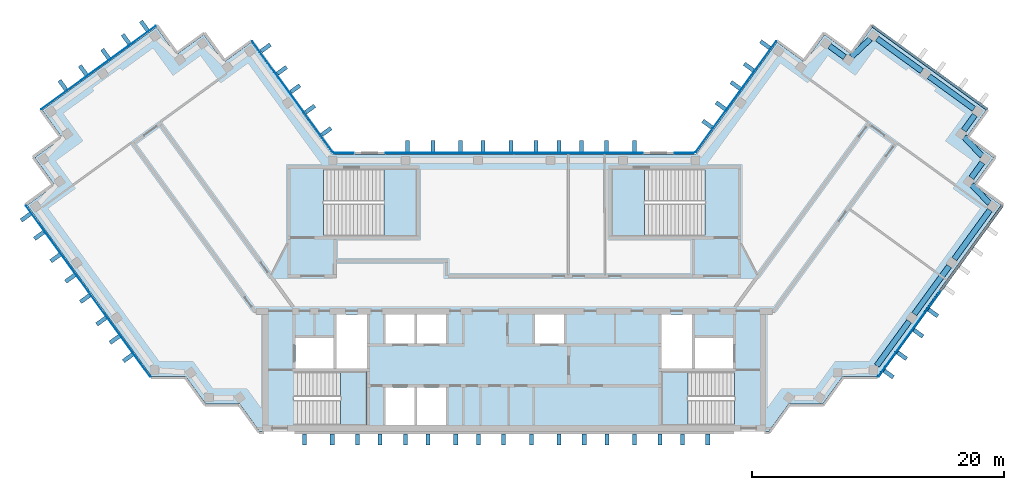
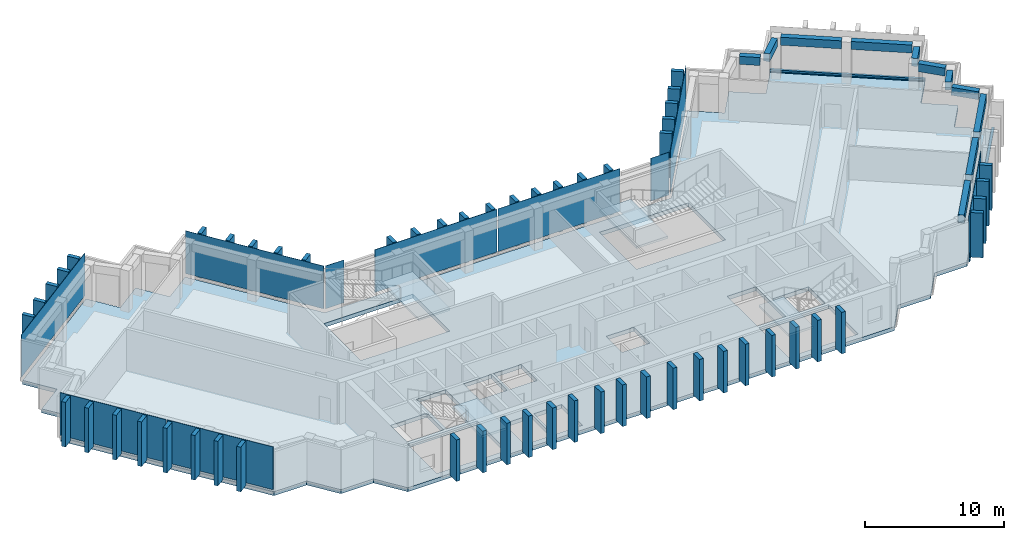
"""IFC4 building model written with IfcOpenShell, lengths in metres."""

from ifc_helpers import new_model, si_unit, direction, frame, origin, origin_2d, place, context, subcontext, project, spatial, polyline, rectangle, outline, extrude, material, layer, layer_set, material_profile, profile_set, type_object, element, aggregate, save


model = new_model("IFC4")

# Units and contexts
model_context = context("Model", 3, precision=1e-05, world=origin(), true_north=direction((0.0, 1.0)))
body_context = subcontext(model_context, "Body", "Model", "MODEL_VIEW")
ifc_project = project(units=[si_unit("LENGTHUNIT", "METRE"), si_unit("AREAUNIT", "SQUARE_METRE"), si_unit("VOLUMEUNIT", "CUBIC_METRE"), si_unit("PLANEANGLEUNIT", "RADIAN"), si_unit("MASSUNIT", "GRAM", prefix="KILO")], contexts=[model_context])

# Site, building, storey
site_placement = place(None, origin())
site = spatial("IfcSite", under=ifc_project, at=site_placement, CompositionType="ELEMENT")
building_placement = place(site_placement, origin())
building = spatial("IfcBuilding", under=site, at=building_placement, Name="Quipu Civic Tower", CompositionType="ELEMENT")
storey_1_placement = place(building_placement, frame((0.0, 0.0, 343.0)))
storey_1 = spatial("IfcBuildingStorey", under=building, at=storey_1_placement, Name="L80", CompositionType="ELEMENT", Elevation=343.0)

# Beams
ifc_material_1 = material(Name="Concrete C50/60", Category="concrete")
ifc_material_profile_1 = material_profile(ifc_material_1, rectangle(XDim=0.449951171875, YDim=0.699951171875, at=origin_2d()), Name="RC450x700")
ifc_profile_set_1 = profile_set([ifc_material_profile_1], Name="Concrete C50/60")
beam_type = type_object("IfcBeamType", Name="Spandrel beam RC 450x700 C50/60", PredefinedType="SPANDREL", material=ifc_profile_set_1)
beam_1_placement = place(storey_1_placement, frame((28.779296875, -5.780029296875, 3.300048828125), z_axis=(0.58777550284, 0.809024077677, 0.0), x_axis=(-0.809024077677, 0.58777550284, 0.0)))
element("IfcBeam", 1, at=beam_1_placement, inside=storey_1, type_object=beam_type, Name="Spandrel beam L80 J-Eo.4 to E-OUT-01", PredefinedType="SPANDREL", context=body_context, shape_type="SweptSolid", body=[
    extrude(rectangle(XDim=0.449951171875, YDim=0.699951171875, at=origin_2d()), origin(), (0.0, 0.0, 1.0), 4.36083984375),
])
beam_2_placement = place(storey_1_placement, frame((31.75390625, -1.685546875, 3.300048828125), z_axis=(0.587788656305, 0.809014521204, 0.0), x_axis=(-0.809014521204, 0.587788656305, 0.0)))
element("IfcBeam", 2, at=beam_2_placement, inside=storey_1, type_object=beam_type, Name="Spandrel beam L80 E-OUT-01 to E-OUT-02", PredefinedType="SPANDREL", context=body_context, shape_type="SweptSolid", body=[
    extrude(rectangle(XDim=0.449951171875, YDim=0.699951171875, at=origin_2d()), origin(), (0.0, 0.0, 1.0), 4.7001953125),
])
beam_3_placement = place(storey_1_placement, frame((34.927978515625, 2.68310546875, 3.300048828125), z_axis=(0.587905928359, 0.808929304328, 0.0), x_axis=(-0.808929304328, 0.587905928359, 0.0)))
element("IfcBeam", 3, at=beam_3_placement, inside=storey_1, type_object=beam_type, Name="Spandrel beam L80 E-OUT-02 to T-Eo.0-E22", PredefinedType="SPANDREL", context=body_context, shape_type="SweptSolid", body=[
    extrude(rectangle(XDim=0.449951171875, YDim=0.699951171875, at=origin_2d()), origin(), (0.0, 0.0, 1.0), 4.80712890625),
])
beam_4_placement = place(storey_1_placement, frame((37.71484375, 7.11279296875, 3.300048828125), z_axis=(-0.689175330605, 0.724594620244, 0.0), x_axis=(-0.724594620244, -0.689175330605, 0.0)))
element("IfcBeam", 4, at=beam_4_placement, inside=storey_1, type_object=beam_type, Name="Spandrel beam L80 T-Eo.0-E22 to T-Eo.1-E22", PredefinedType="SPANDREL", context=body_context, shape_type="SweptSolid", body=[
    extrude(rectangle(XDim=0.449951171875, YDim=0.699951171875, at=origin_2d()), origin(), (0.0, 0.0, 1.0), 2.033447265625),
])
beam_5_placement = place(storey_1_placement, frame((36.273681640625, 9.12744140625, 3.300048828125), z_axis=(0.587164895097, 0.809467347066, 0.0), x_axis=(-0.809467347066, 0.587164895097, 0.0)))
element("IfcBeam", 5, at=beam_5_placement, inside=storey_1, type_object=beam_type, Name="Spandrel beam L80 T-Eo.1-E22 to T-Eo.2-E22", PredefinedType="SPANDREL", context=body_context, shape_type="SweptSolid", body=[
    extrude(rectangle(XDim=0.449951171875, YDim=0.699951171875, at=origin_2d()), origin(), (0.0, 0.0, 1.0), 1.500244140625),
])
beam_6_placement = place(storey_1_placement, frame((37.114990234375, 10.88330078125, 3.300048828125), z_axis=(-0.688247466856, 0.725475998477, 0.0), x_axis=(-0.725475998477, -0.688247466856, 0.0)))
element("IfcBeam", 6, at=beam_6_placement, inside=storey_1, type_object=beam_type, Name="Spandrel beam L80 T-Eo.2-E22 to T-Eo.3-E22", PredefinedType="SPANDREL", context=body_context, shape_type="SweptSolid", body=[
    extrude(rectangle(XDim=0.449951171875, YDim=0.699951171875, at=origin_2d()), origin(), (0.0, 0.0, 1.0), 2.032958984375),
])
beam_7_placement = place(storey_1_placement, frame((35.6767578125, 12.8994140625, 3.300048828125), z_axis=(0.588345920092, 0.808609348394, 0.0), x_axis=(-0.808609348394, 0.588345920092, 0.0)))
element("IfcBeam", 7, at=beam_7_placement, inside=storey_1, type_object=beam_type, Name="Spandrel beam L80 T-Eo.3-E22 to T-Eo.4-E22", PredefinedType="SPANDREL", context=body_context, shape_type="SweptSolid", body=[
    extrude(rectangle(XDim=0.449951171875, YDim=0.699951171875, at=origin_2d()), origin(), (0.0, 0.0, 1.0), 1.499755859375),
])
beam_8_placement = place(storey_1_placement, frame((36.481689453125, 14.6005859375, 3.300048828125), z_axis=(-0.809117270763, 0.587647208921, 0.0), x_axis=(-0.587647208921, -0.809117270763, 0.0)))
element("IfcBeam", 8, at=beam_8_placement, inside=storey_1, type_object=beam_type, Name="Spandrel beam L80 T-Eo.4-E22 to TIP-E-01-E22", PredefinedType="SPANDREL", context=body_context, shape_type="SweptSolid", body=[
    extrude(rectangle(XDim=0.449951171875, YDim=0.699951171875, at=origin_2d()), origin(), (0.0, 0.0, 1.0), 4.40185546875),
])
beam_9_placement = place(storey_1_placement, frame((32.353759765625, 17.5986328125, 3.300048828125), z_axis=(-0.809146152767, 0.587607439931, 0.0), x_axis=(-0.587607439931, -0.809146152767, 0.0)))
element("IfcBeam", 9, at=beam_9_placement, inside=storey_1, type_object=beam_type, Name="Spandrel beam L80 TIP-E-01-E22 to T-Ei.0-E22", PredefinedType="SPANDREL", context=body_context, shape_type="SweptSolid", body=[
    extrude(rectangle(XDim=0.449951171875, YDim=0.699951171875, at=origin_2d()), origin(), (0.0, 0.0, 1.0), 4.400390625),
])
beam_10_placement = place(storey_1_placement, frame((28.251708984375, 20.14501953125, 3.300048828125), z_axis=(-0.725359138958, -0.688370626574, 0.0), x_axis=(0.688370626574, -0.725359138958, 0.0)))
element("IfcBeam", 10, at=beam_10_placement, inside=storey_1, type_object=beam_type, Name="Spandrel beam L80 T-Ei.0-E22 to T-Ei.1-E22", PredefinedType="SPANDREL", context=body_context, shape_type="SweptSolid", body=[
    extrude(rectangle(XDim=0.449951171875, YDim=0.699951171875, at=origin_2d()), origin(), (0.0, 0.0, 1.0), 2.032958984375),
])
beam_11_placement = place(storey_1_placement, frame((26.236083984375, 18.70654296875, 3.300048828125), z_axis=(-0.808644589435, 0.588297482553, 0.0), x_axis=(-0.588297482553, -0.808644589435, 0.0)))
element("IfcBeam", 11, at=beam_11_placement, inside=storey_1, type_object=beam_type, Name="Spandrel beam L80 T-Ei.1-E22 to T-Ei.2-E22", PredefinedType="SPANDREL", context=body_context, shape_type="SweptSolid", body=[
    extrude(rectangle(XDim=0.449951171875, YDim=0.699951171875, at=origin_2d()), origin(), (0.0, 0.0, 1.0), 1.500244140625),
])

# Storey
storey_2_placement = place(building_placement, frame((0.0, 0.0, 335.0)))
storey_2 = spatial("IfcBuildingStorey", under=building, at=storey_2_placement, Name="L78", CompositionType="ELEMENT", Elevation=335.0)

# Curtain wall, member
ifc_material_2 = material(Name="Insulated glass unit", Category="glass")
curtain_wall_type = type_object("IfcCurtainWallType", Name="Office curtain wall CW1", PredefinedType="NOTDEFINED", material=ifc_material_2)
curtain_wall_1_placement = place(storey_2_placement, origin())
curtain_wall_1 = element("IfcCurtainWall", 12, at=curtain_wall_1_placement, inside=storey_2, type_object=curtain_wall_type, Name="Office curtain wall CW1 L77 run 21", PredefinedType="NOTDEFINED")
ifc_material_3 = material(Name="Anodised aluminium", Category="aluminium")
ifc_material_profile_2 = material_profile(ifc_material_3, rectangle(XDim=0.199951171875, YDim=0.159912109375, at=origin_2d()), Name="RECT 200x160")
ifc_profile_set_2 = profile_set([ifc_material_profile_2], Name="Anodised aluminium")
member_type = type_object("IfcMemberType", Name="Transom CW1", PredefinedType="USERDEFINED", material=ifc_profile_set_2)
member_1_placement = place(storey_1_placement, frame((37.536865234375, 14.575927734375, 0.0), z_axis=(-0.809022463805, 0.587777724194, 0.0), x_axis=(-0.587777724194, -0.809022463805, 0.0)))
member_1 = element("IfcMember", 13, at=member_1_placement, inside=storey_1, type_object=member_type, Name="CW1 transom 1.4", ObjectType="TRANSOM", PredefinedType="USERDEFINED", context=body_context, shape_type="SweptSolid", body=[
    extrude(rectangle(XDim=0.199951171875, YDim=0.159912109375, at=origin_2d()), origin(), (0.0, 0.0, 1.0), 11.240234375),
])
aggregate(curtain_wall_1, [member_1])

# Storey
storey_3_placement = place(building_placement, frame((0.0, 0.0, 339.0)))
storey_3 = spatial("IfcBuildingStorey", under=building, at=storey_3_placement, Name="L79", CompositionType="ELEMENT", Elevation=339.0)

# Curtain wall, members
curtain_wall_2_placement = place(storey_3_placement, origin())
curtain_wall_2 = element("IfcCurtainWall", 14, at=curtain_wall_2_placement, inside=storey_3, type_object=curtain_wall_type, Name="Office curtain wall CW1 L78 run 4", PredefinedType="NOTDEFINED")
member_2_placement = place(storey_1_placement, frame((28.876708984375, -6.66650390625, 0.080078125), z_axis=(0.587812107925, 0.808997481935, 0.0), x_axis=(-0.808997481935, 0.587812107925, 0.0)))
member_2 = element("IfcMember", 15, at=member_2_placement, inside=storey_1, type_object=member_type, Name="CW1 transom 1.3", ObjectType="TRANSOM", PredefinedType="USERDEFINED", context=body_context, shape_type="SweptSolid", body=[
    extrude(rectangle(XDim=0.199951171875, YDim=0.159912109375, at=origin_2d()), origin(), (0.0, 0.0, 1.0), 8.35791015625),
])
member_3_placement = place(storey_1_placement, frame((33.83642578125, 0.15966796875, 0.080078125), z_axis=(0.587779098815, 0.809021465102, 0.0), x_axis=(-0.809021465102, 0.587779098815, 0.0)))
member_3 = element("IfcMember", 16, at=member_3_placement, inside=storey_1, type_object=member_type, Name="CW1 transom 2.3", ObjectType="TRANSOM", PredefinedType="USERDEFINED", context=body_context, shape_type="SweptSolid", body=[
    extrude(rectangle(XDim=0.199951171875, YDim=0.159912109375, at=origin_2d()), origin(), (0.0, 0.0, 1.0), 8.35791015625),
])

# Storey
storey_4_placement = place(building_placement, frame((0.0, 0.0, 347.0)))
storey_4 = spatial("IfcBuildingStorey", under=building, at=storey_4_placement, Name="L81", CompositionType="ELEMENT", Elevation=347.0)

# Curtain wall, member
curtain_wall_3_placement = place(storey_4_placement, origin())
curtain_wall_3 = element("IfcCurtainWall", 17, at=curtain_wall_3_placement, inside=storey_4, type_object=curtain_wall_type, Name="Office curtain wall CW1 L80 run 21", PredefinedType="NOTDEFINED")
member_4_placement = place(storey_1_placement, frame((37.536865234375, 14.575927734375, 0.159912109375), z_axis=(-0.809022463805, 0.587777724194, 0.0), x_axis=(-0.587777724194, -0.809022463805, 0.0)))
member_4 = element("IfcMember", 18, at=member_4_placement, inside=storey_1, type_object=member_type, Name="CW1 transom 1.1", ObjectType="TRANSOM", PredefinedType="USERDEFINED", context=body_context, shape_type="SweptSolid", body=[
    extrude(rectangle(XDim=0.199951171875, YDim=0.159912109375, at=origin_2d()), origin(), (0.0, 0.0, 1.0), 11.240234375),
])
aggregate(curtain_wall_3, [member_4])

# Slab
ifc_material_4 = material(Name="Concrete C40/50", Category="concrete")
ifc_layer_1 = layer(ifc_material_4, 0.35009765625)
ifc_layer_set_1 = layer_set([ifc_layer_1], Name="Concrete C40/50")
slab_type_1 = type_object("IfcSlabType", Name="Floor slab 350 C40/50", PredefinedType="FLOOR", material=ifc_layer_set_1)
slab_1_placement = place(storey_1_placement, frame((0.0, 0.0, -0.35009765625)))
element("IfcSlab", 19, at=slab_1_placement, inside=storey_1, type_object=slab_type_1, Name="Floor slab L80", PredefinedType="FLOOR", context=body_context, shape_type="SweptSolid", body=[
    extrude(outline(polyline([(20.860107421875, 19.89501953125), (23.0400390625, 18.31005859375), (24.6298828125, 20.4951171875), (26.81494140625, 18.905029296875), (28.39990234375, 21.090087890625), (37.4599609375, 14.5048828125), (35.875, 12.320068359375), (38.06005859375, 10.735107421875), (36.469970703125, 8.550048828125), (38.655029296875, 6.965087890625), (28.780029296875, -6.6298828125), (26.080078125, -6.6298828125), (24.489990234375, -8.81494140625), (21.7900390625, -8.81494140625), (20.205078125, -11.0), (-20.205078125, -11.0), (-21.7900390625, -8.81494140625), (-24.489990234375, -8.81494140625), (-26.080078125, -6.6298828125), (-28.780029296875, -6.6298828125), (-38.655029296875, 6.965087890625), (-36.469970703125, 8.550048828125), (-38.06005859375, 10.735107421875), (-35.875, 12.320068359375), (-37.4599609375, 14.5048828125), (-28.39990234375, 21.090087890625), (-26.81494140625, 18.905029296875), (-24.6298828125, 20.4951171875), (-23.0400390625, 18.31005859375), (-20.860107421875, 19.89501953125), (-14.39501953125, 11.0), (14.39501953125, 11.0), (20.860107421875, 19.89501953125)]), holes=[polyline([(-10.199951171875, -10.5), (-7.89990234375, -10.5), (-7.89990234375, -7.5), (-10.199951171875, -7.5), (-10.199951171875, -10.5)]), polyline([(-7.699951171875, -7.5), (-7.699951171875, -10.5), (-5.39990234375, -10.5), (-5.39990234375, -7.5), (-7.699951171875, -7.5)]), polyline([(-11.705078125, -6.2548828125), (-17.4951171875, -6.2548828125), (-17.4951171875, -10.4951171875), (-11.705078125, -10.4951171875), (-11.705078125, -6.2548828125)]), polyline([(-17.35009765625, -6.0), (-14.35009765625, -6.0), (-14.35009765625, -3.60009765625), (-17.35009765625, -3.60009765625), (-17.35009765625, -6.0)]), polyline([(-14.10009765625, -1.699951171875), (-14.10009765625, -6.0), (-11.699951171875, -6.0), (-11.699951171875, -1.699951171875), (-14.10009765625, -1.699951171875)]), polyline([(-10.199951171875, -1.699951171875), (-10.199951171875, -4.0), (-7.89990234375, -4.0), (-7.89990234375, -1.699951171875), (-10.199951171875, -1.699951171875)]), polyline([(-15.14501953125, 9.844970703125), (-15.14501953125, 4.5048828125), (-7.7548828125, 4.5048828125), (-7.7548828125, 9.844970703125), (-15.14501953125, 9.844970703125)]), polyline([(11.705078125, -10.4951171875), (17.4951171875, -10.4951171875), (17.4951171875, -6.2548828125), (11.705078125, -6.2548828125), (11.705078125, -10.4951171875)]), polyline([(14.35009765625, -3.60009765625), (14.35009765625, -6.0), (17.35009765625, -6.0), (17.35009765625, -3.60009765625), (14.35009765625, -3.60009765625)]), polyline([(11.699951171875, -1.699951171875), (11.699951171875, -6.0), (14.10009765625, -6.0), (14.10009765625, -1.699951171875), (11.699951171875, -1.699951171875)]), polyline([(-7.699951171875, -1.699951171875), (-7.699951171875, -4.0), (-5.39990234375, -4.0), (-5.39990234375, -1.699951171875), (-7.699951171875, -1.699951171875)]), polyline([(1.64990234375, -1.699951171875), (1.64990234375, -4.0), (3.949951171875, -4.0), (3.949951171875, -1.699951171875), (1.64990234375, -1.699951171875)]), polyline([(7.7548828125, 4.5048828125), (15.14501953125, 4.5048828125), (15.14501953125, 9.844970703125), (7.7548828125, 9.844970703125), (7.7548828125, 4.5048828125)])]), origin(), (0.0, 0.0, 1.0), 0.35009765625),
])

# Plate
ifc_material_5 = material(Name="Insulated glass unit", Category="glass")
ifc_layer_2 = layer(ifc_material_5, 0.028076171875)
ifc_layer_set_2 = layer_set([ifc_layer_2], Name="Insulated glass unit")
plate_type_1 = type_object("IfcPlateType", Name="Glass panel CW1", PredefinedType="CURTAIN_PANEL", material=ifc_layer_set_2)
plate_1_placement = place(storey_1_placement, frame((31.333251953125, -3.285888671875, 0.16015625), z_axis=(0.0, 0.0, 1.0), x_axis=(0.587786237643, 0.809016278475, 0.0)))
plate_1 = element("IfcPlate", 20, at=plate_1_placement, inside=storey_1, type_object=plate_type_1, Name="CW1 panel 1.3", PredefinedType="CURTAIN_PANEL", context=body_context, shape_type="SweptSolid", body=[
    extrude(rectangle(XDim=8.35791015625, YDim=0.028076171875, at=origin_2d()), origin(), (0.0, 0.0, 1.0), 3.760009765625),
])

aggregate(curtain_wall_2, [member_2, plate_1, member_3])

# Curtain wall, plate
curtain_wall_4_placement = place(storey_4_placement, origin())
curtain_wall_4 = element("IfcCurtainWall", 21, at=curtain_wall_4_placement, inside=storey_4, type_object=curtain_wall_type, Name="Office curtain wall CW1 L80 run 1", PredefinedType="NOTDEFINED")
plate_2_placement = place(storey_1_placement, frame((-17.590087890625, 15.5673828125, 0.240234375), z_axis=(0.0, 0.0, 1.0), x_axis=(-0.587787771652, 0.809015163947, 0.0)))
plate_2 = element("IfcPlate", 22, at=plate_2_placement, inside=storey_1, type_object=plate_type_1, Name="CW1 panel 1.1", PredefinedType="CURTAIN_PANEL", context=body_context, shape_type="SweptSolid", body=[
    extrude(rectangle(XDim=10.88427734375, YDim=0.028076171875, at=origin_2d()), origin(), (0.0, 0.0, 1.0), 3.760009765625),
])
aggregate(curtain_wall_4, [plate_2])

curtain_wall_5_placement = place(storey_4_placement, origin())
curtain_wall_5 = element("IfcCurtainWall", 23, at=curtain_wall_5_placement, inside=storey_4, type_object=curtain_wall_type, Name="Office curtain wall CW1 L80 run 6", PredefinedType="NOTDEFINED")
plate_3_placement = place(storey_1_placement, frame((-32.989990234375, 17.87939453125, 0.240234375), z_axis=(0.0, 0.0, 1.0), x_axis=(-0.809015176832, -0.587787753918, 0.0)))
plate_3 = element("IfcPlate", 24, at=plate_3_placement, inside=storey_1, type_object=plate_type_1, Name="CW1 panel 1.1", PredefinedType="CURTAIN_PANEL", context=body_context, shape_type="SweptSolid", body=[
    extrude(rectangle(XDim=11.239990234375, YDim=0.028076171875, at=origin_2d()), origin(), (0.0, 0.0, 1.0), 3.760009765625),
])
aggregate(curtain_wall_5, [plate_3])

# Curtain wall, plates
curtain_wall_6_placement = place(storey_4_placement, origin())
curtain_wall_6 = element("IfcCurtainWall", 25, at=curtain_wall_6_placement, inside=storey_4, type_object=curtain_wall_type, Name="Office curtain wall CW1 L80 run 11", PredefinedType="NOTDEFINED")
plate_4_placement = place(storey_1_placement, frame((-36.292724609375, 3.54052734375, 0.240234375), z_axis=(0.0, 0.0, 1.0), x_axis=(0.587786237643, -0.809016278475, 0.0)))
plate_4 = element("IfcPlate", 26, at=plate_4_placement, inside=storey_1, type_object=plate_type_1, Name="CW1 panel 1.1", PredefinedType="CURTAIN_PANEL", context=body_context, shape_type="SweptSolid", body=[
    extrude(rectangle(XDim=8.35791015625, YDim=0.028076171875, at=origin_2d()), origin(), (0.0, 0.0, 1.0), 3.760009765625),
])
plate_5_placement = place(storey_1_placement, frame((-31.333251953125, -3.285888671875, 0.240234375), z_axis=(0.0, 0.0, 1.0), x_axis=(0.587786237643, -0.809016278475, 0.0)))
plate_5 = element("IfcPlate", 27, at=plate_5_placement, inside=storey_1, type_object=plate_type_1, Name="CW1 panel 2.1", PredefinedType="CURTAIN_PANEL", context=body_context, shape_type="SweptSolid", body=[
    extrude(rectangle(XDim=8.35791015625, YDim=0.028076171875, at=origin_2d()), origin(), (0.0, 0.0, 1.0), 3.760009765625),
])
aggregate(curtain_wall_6, [plate_4, plate_5])

# Curtain wall, plate
curtain_wall_7_placement = place(storey_4_placement, origin())
curtain_wall_7 = element("IfcCurtainWall", 28, at=curtain_wall_7_placement, inside=storey_4, type_object=curtain_wall_type, Name="Office curtain wall CW1 L80 run 26", PredefinedType="NOTDEFINED")
plate_6_placement = place(storey_1_placement, frame((17.590087890625, 15.5673828125, 0.240234375), z_axis=(0.0, 0.0, 1.0), x_axis=(-0.587787771652, -0.809015163947, 0.0)))
plate_6 = element("IfcPlate", 29, at=plate_6_placement, inside=storey_1, type_object=plate_type_1, Name="CW1 panel 1.1", PredefinedType="CURTAIN_PANEL", context=body_context, shape_type="SweptSolid", body=[
    extrude(rectangle(XDim=10.88427734375, YDim=0.028076171875, at=origin_2d()), origin(), (0.0, 0.0, 1.0), 3.760009765625),
])
aggregate(curtain_wall_7, [plate_6])

curtain_wall_8_placement = place(storey_4_placement, origin())
curtain_wall_8 = element("IfcCurtainWall", 30, at=curtain_wall_8_placement, inside=storey_4, type_object=curtain_wall_type, Name="Office curtain wall CW1 L80 run 27", PredefinedType="NOTDEFINED")
plate_7_placement = place(storey_1_placement, frame((13.49951171875, 11.10009765625, 0.240234375), z_axis=(0.0, 0.0, 1.0), x_axis=(-1.0, 0.0, 0.0)))
plate_7 = element("IfcPlate", 31, at=plate_7_placement, inside=storey_1, type_object=plate_type_1, Name="CW1 panel 1.1", PredefinedType="CURTAIN_PANEL", context=body_context, shape_type="SweptSolid", body=[
    extrude(rectangle(XDim=1.529296875, YDim=0.028076171875, at=origin_2d()), origin(), (0.0, 0.0, 1.0), 3.760009765625),
])
aggregate(curtain_wall_8, [plate_7])

# Curtain wall, plates
curtain_wall_9_placement = place(storey_4_placement, origin())
curtain_wall_9 = element("IfcCurtainWall", 32, at=curtain_wall_9_placement, inside=storey_4, type_object=curtain_wall_type, Name="Office curtain wall CW1 L80 run 29", PredefinedType="NOTDEFINED")
plate_8_placement = place(storey_1_placement, frame((5.11181640625, 11.10009765625, 0.240234375), z_axis=(0.0, 0.0, 1.0), x_axis=(-1.0, 0.0, 0.0)))
plate_8 = element("IfcPlate", 33, at=plate_8_placement, inside=storey_1, type_object=plate_type_1, Name="CW1 panel 1.1", PredefinedType="CURTAIN_PANEL", context=body_context, shape_type="SweptSolid", body=[
    extrude(rectangle(XDim=10.1435546875, YDim=0.028076171875, at=origin_2d()), origin(), (0.0, 0.0, 1.0), 3.760009765625),
])
plate_9_placement = place(storey_1_placement, frame((-5.11181640625, 11.10009765625, 0.240234375), z_axis=(0.0, 0.0, 1.0), x_axis=(-1.0, 0.0, 0.0)))
plate_9 = element("IfcPlate", 34, at=plate_9_placement, inside=storey_1, type_object=plate_type_1, Name="CW1 panel 2.1", PredefinedType="CURTAIN_PANEL", context=body_context, shape_type="SweptSolid", body=[
    extrude(rectangle(XDim=10.1435546875, YDim=0.028076171875, at=origin_2d()), origin(), (0.0, 0.0, 1.0), 3.760009765625),
])
aggregate(curtain_wall_9, [plate_8, plate_9])

# Curtain wall, plate
curtain_wall_10_placement = place(storey_4_placement, origin())
curtain_wall_10 = element("IfcCurtainWall", 35, at=curtain_wall_10_placement, inside=storey_4, type_object=curtain_wall_type, Name="Office curtain wall CW1 L80 run 31", PredefinedType="NOTDEFINED")
plate_10_placement = place(storey_1_placement, frame((-13.49951171875, 11.10009765625, 0.240234375), z_axis=(0.0, 0.0, 1.0), x_axis=(-1.0, 0.0, 0.0)))
plate_10 = element("IfcPlate", 36, at=plate_10_placement, inside=storey_1, type_object=plate_type_1, Name="CW1 panel 1.1", PredefinedType="CURTAIN_PANEL", context=body_context, shape_type="SweptSolid", body=[
    extrude(rectangle(XDim=1.529296875, YDim=0.028076171875, at=origin_2d()), origin(), (0.0, 0.0, 1.0), 3.760009765625),
])
aggregate(curtain_wall_10, [plate_10])

# Plates
ifc_material_6 = material(Name="Precast concrete C40/50", Category="concrete")
plate_type_2 = type_object("IfcPlateType", Name="Precast fin F3", PredefinedType="SHEET", material=ifc_material_6)
for number, where, z_axis, x_axis, name in (
    (37, (29.721923828125, -6.43896484375, 0.080078125), (0.0, 0.0, 1.0), (0.587786668783, 0.809015965233, 0.0), "Precast fin F3 L80.P04.1"),
    (38, (30.780029296875, -4.982666015625, 0.080078125), (0.0, 0.0, 1.0), (0.587786668783, 0.809015965233, 0.0), "Precast fin F3 L80.P04.2"),
    (39, (32.0732421875, -3.202880859375, 0.080078125), (0.0, 0.0, 1.0), (0.587786668783, 0.809015965233, 0.0), "Precast fin F3 L80.P04.3"),
    (40, (33.248779296875, -1.5849609375, 0.080078125), (0.0, 0.0, 1.0), (0.587786668783, 0.809015965233, 0.0), "Precast fin F3 L80.P04.4"),
    (41, (-14.90380859375, 12.805908203125, 0.080078125), (0.0, 0.0, 1.0), (-0.58778443384, 0.809017589015, 0.0), "Precast fin F3 L80.1.1"),
    (42, (-16.197021484375, 14.585693359375, 0.080078125), (0.0, 0.0, 1.0), (-0.58778443384, 0.809017589015, 0.0), "Precast fin F3 L80.1.2"),
    (43, (-17.37255859375, 16.203857421875, 0.080078125), (0.0, 0.0, 1.0), (-0.58778443384, 0.809017589015, 0.0), "Precast fin F3 L80.1.3"),
    (44, (-18.4306640625, 17.66015625, 0.080078125), (0.0, 0.0, 1.0), (-0.58778443384, 0.809017589015, 0.0), "Precast fin F3 L80.1.4"),
    (45, (-19.7236328125, 19.43994140625, 0.080078125), (0.0, 0.0, 1.0), (-0.58778443384, 0.809017589015, 0.0), "Precast fin F3 L80.1.5"),
    (46, (-29.357177734375, 21.198486328125, 0.080078125), (0.0, 0.0, 1.0), (-0.809017072762, -0.587785144401, 0.0), "Precast fin F3 L80.6.1"),
    (47, (-30.8134765625, 20.140625, 0.080078125), (0.0, 0.0, 1.0), (-0.809017072762, -0.587785144401, 0.0), "Precast fin F3 L80.6.2"),
    (48, (-32.431640625, 18.96484375, 0.080078125), (0.0, 0.0, 1.0), (-0.809017072762, -0.587785144401, 0.0), "Precast fin F3 L80.6.3"),
    (49, (-34.21142578125, 17.671875, 0.080078125), (0.0, 0.0, 1.0), (-0.809017072762, -0.587785144401, 0.0), "Precast fin F3 L80.6.4"),
    (50, (-35.829345703125, 16.496337890625, 0.080078125), (0.0, 0.0, 1.0), (-0.809017072762, -0.587785144401, 0.0), "Precast fin F3 L80.6.5"),
    (51, (-38.764892578125, 6.007568359375, 0.080078125), (0.0, 0.0, 1.0), (0.587786668783, -0.809015965233, 0.0), "Precast fin F3 L80.11.1"),
    (52, (-37.70703125, 4.55126953125, 0.080078125), (0.0, 0.0, 1.0), (0.587786668783, -0.809015965233, 0.0), "Precast fin F3 L80.11.2"),
    (53, (-36.413818359375, 2.771484375, 0.080078125), (0.0, 0.0, 1.0), (0.587786668783, -0.809015965233, 0.0), "Precast fin F3 L80.11.3"),
    (54, (-35.23828125, 1.1533203125, 0.080078125), (0.0, 0.0, 1.0), (0.587786668783, -0.809015965233, 0.0), "Precast fin F3 L80.11.4"),
    (55, (-34.062744140625, -0.464599609375, 0.080078125), (0.0, 0.0, 1.0), (0.587786668783, -0.809015965233, 0.0), "Precast fin F3 L80.11.5"),
    (56, (-32.76953125, -2.244384765625, 0.080078125), (0.0, 0.0, 1.0), (0.587786668783, -0.809015965233, 0.0), "Precast fin F3 L80.11.6"),
    (57, (-31.71142578125, -3.70068359375, 0.080078125), (0.0, 0.0, 1.0), (0.587786668783, -0.809015965233, 0.0), "Precast fin F3 L80.11.7"),
    (58, (-30.653564453125, -5.156982421875, 0.080078125), (0.0, 0.0, 1.0), (0.587786668783, -0.809015965233, 0.0), "Precast fin F3 L80.11.8"),
):
    element("IfcPlate", number, at=place(storey_1_placement, frame(where, z_axis=z_axis, x_axis=x_axis)), inside=storey_1, type_object=plate_type_2, Name=name, PredefinedType="SHEET", context=body_context, shape_type="SweptSolid", body=[
        extrude(rectangle(XDim=0.320068359375, YDim=0.89990234375, at=origin_2d()), origin(), (0.0, 0.0, 1.0), 3.919921875),
    ])
for number, where, z_axis, x_axis, name in (
    (59, (-16.639892578125, -11.637939453125, 0.0), (0.0, 0.0, 1.0), (1.0, 0.0, 0.0), "Precast fin F3 L80.17.1"),
    (60, (-14.43994140625, -11.637939453125, 0.0), (0.0, 0.0, 1.0), (1.0, 0.0, 0.0), "Precast fin F3 L80.17.2"),
    (61, (-12.43994140625, -11.637939453125, 0.0), (0.0, 0.0, 1.0), (1.0, 0.0, 0.0), "Precast fin F3 L80.17.3"),
    (62, (-10.639892578125, -11.637939453125, 0.0), (0.0, 0.0, 1.0), (1.0, 0.0, 0.0), "Precast fin F3 L80.17.4"),
    (63, (-8.639892578125, -11.637939453125, 0.0), (0.0, 0.0, 1.0), (1.0, 0.0, 0.0), "Precast fin F3 L80.17.5"),
    (64, (-6.840087890625, -11.637939453125, 0.0), (0.0, 0.0, 1.0), (1.0, 0.0, 0.0), "Precast fin F3 L80.17.6"),
    (65, (-4.639892578125, -11.637939453125, 0.0), (0.0, 0.0, 1.0), (1.0, 0.0, 0.0), "Precast fin F3 L80.17.7"),
    (66, (-2.840087890625, -11.637939453125, 0.0), (0.0, 0.0, 1.0), (1.0, 0.0, 0.0), "Precast fin F3 L80.17.8"),
    (67, (-0.840087890625, -11.637939453125, 0.0), (0.0, 0.0, 1.0), (1.0, 0.0, 0.0), "Precast fin F3 L80.17.9"),
    (68, (1.360107421875, -11.637939453125, 0.0), (0.0, 0.0, 1.0), (1.0, 0.0, 0.0), "Precast fin F3 L80.17.10"),
    (69, (3.56005859375, -11.637939453125, 0.0), (0.0, 0.0, 1.0), (1.0, 0.0, 0.0), "Precast fin F3 L80.17.11"),
    (70, (5.56005859375, -11.637939453125, 0.0), (0.0, 0.0, 1.0), (1.0, 0.0, 0.0), "Precast fin F3 L80.17.12"),
    (71, (7.360107421875, -11.637939453125, 0.0), (0.0, 0.0, 1.0), (1.0, 0.0, 0.0), "Precast fin F3 L80.17.13"),
    (72, (9.56005859375, -11.637939453125, 0.0), (0.0, 0.0, 1.0), (1.0, 0.0, 0.0), "Precast fin F3 L80.17.14"),
    (73, (11.56005859375, -11.637939453125, 0.0), (0.0, 0.0, 1.0), (1.0, 0.0, 0.0), "Precast fin F3 L80.17.15"),
    (74, (13.360107421875, -11.637939453125, 0.0), (0.0, 0.0, 1.0), (1.0, 0.0, 0.0), "Precast fin F3 L80.17.16"),
    (75, (15.360107421875, -11.637939453125, 0.0), (0.0, 0.0, 1.0), (1.0, 0.0, 0.0), "Precast fin F3 L80.17.17"),
):
    element("IfcPlate", number, at=place(storey_1_placement, frame(where, z_axis=z_axis, x_axis=x_axis)), inside=storey_1, type_object=plate_type_2, Name=name, PredefinedType="SHEET", context=body_context, shape_type="SweptSolid", body=[
        extrude(rectangle(XDim=0.320068359375, YDim=0.89990234375, at=origin_2d()), origin(), (0.0, 0.0, 1.0), 3.64990234375),
    ])
for number, where, z_axis, x_axis, name in (
    (76, (19.914794921875, 19.702880859375, 0.080078125), (0.0, 0.0, 1.0), (-0.58778443384, -0.809017589015, 0.0), "Precast fin F3 L80.26.1"),
    (77, (18.62158203125, 17.923095703125, 0.080078125), (0.0, 0.0, 1.0), (-0.58778443384, -0.809017589015, 0.0), "Precast fin F3 L80.26.2"),
    (78, (17.563720703125, 16.466796875, 0.080078125), (0.0, 0.0, 1.0), (-0.58778443384, -0.809017589015, 0.0), "Precast fin F3 L80.26.3"),
    (79, (16.38818359375, 14.848876953125, 0.080078125), (0.0, 0.0, 1.0), (-0.58778443384, -0.809017589015, 0.0), "Precast fin F3 L80.26.4"),
    (80, (15.330078125, 13.392578125, 0.080078125), (0.0, 0.0, 1.0), (-0.58778443384, -0.809017589015, 0.0), "Precast fin F3 L80.26.5"),
    (81, (9.5400390625, 11.64990234375, 0.080078125), (0.0, 0.0, 1.0), (-1.0, 0.0, 0.0), "Precast fin F3 L80.29.1"),
    (82, (7.340087890625, 11.64990234375, 0.080078125), (0.0, 0.0, 1.0), (-1.0, 0.0, 0.0), "Precast fin F3 L80.29.2"),
    (83, (5.340087890625, 11.64990234375, 0.080078125), (0.0, 0.0, 1.0), (-1.0, 0.0, 0.0), "Precast fin F3 L80.29.3"),
    (84, (3.5400390625, 11.64990234375, 0.080078125), (0.0, 0.0, 1.0), (-1.0, 0.0, 0.0), "Precast fin F3 L80.29.4"),
    (85, (1.739990234375, 11.64990234375, 0.080078125), (0.0, 0.0, 1.0), (-1.0, 0.0, 0.0), "Precast fin F3 L80.29.5"),
    (86, (-0.260009765625, 11.64990234375, 0.080078125), (0.0, 0.0, 1.0), (-1.0, 0.0, 0.0), "Precast fin F3 L80.29.6"),
    (87, (-2.4599609375, 11.64990234375, 0.080078125), (0.0, 0.0, 1.0), (-1.0, 0.0, 0.0), "Precast fin F3 L80.29.7"),
    (88, (-4.260009765625, 11.64990234375, 0.080078125), (0.0, 0.0, 1.0), (-1.0, 0.0, 0.0), "Precast fin F3 L80.29.8"),
    (89, (-6.4599609375, 11.64990234375, 0.080078125), (0.0, 0.0, 1.0), (-1.0, 0.0, 0.0), "Precast fin F3 L80.29.9"),
    (90, (-8.4599609375, 11.64990234375, 0.080078125), (0.0, 0.0, 1.0), (-1.0, 0.0, 0.0), "Precast fin F3 L80.29.10"),
):
    element("IfcPlate", number, at=place(storey_1_placement, frame(where, z_axis=z_axis, x_axis=x_axis)), inside=storey_1, type_object=plate_type_2, Name=name, PredefinedType="SHEET", context=body_context, shape_type="SweptSolid", body=[
        extrude(rectangle(XDim=0.320068359375, YDim=0.89990234375, at=origin_2d()), origin(), (0.0, 0.0, 1.0), 3.919921875),
    ])

# Stair, slab
ifc_material_7 = material(Name="Concrete C40/50", Category="concrete")
stair_type_1 = type_object("IfcStairType", Name="Half turn stair 2000", PredefinedType="HALF_TURN_STAIR", material=ifc_material_7)
stair_1_placement = place(storey_1_placement, origin())
stair_1 = element("IfcStair", 91, at=stair_1_placement, inside=storey_1, type_object=stair_type_1, Name="Exit stair 1", PredefinedType="HALF_TURN_STAIR")
ifc_material_8 = material(Name="Concrete C40/50", Category="concrete")
ifc_layer_3 = layer(ifc_material_8, 0.199951171875)
ifc_layer_set_3 = layer_set([ifc_layer_3], Name="Concrete C40/50")
slab_type_2 = type_object("IfcSlabType", Name="Stair landing 200", PredefinedType="LANDING", material=ifc_layer_set_3)
slab_2_placement = place(storey_1_placement, frame((0.0, 0.0, 1.800048828125)))
slab_2 = element("IfcSlab", 92, at=slab_2_placement, type_object=slab_type_2, Name="ST-1 landing 1", PredefinedType="LANDING", context=body_context, shape_type="SweptSolid", body=[
    extrude(outline(polyline([(-13.780029296875, -10.5), (-11.699951171875, -10.5), (-11.699951171875, -6.25), (-13.780029296875, -6.25), (-13.780029296875, -10.5)])), origin(), (0.0, 0.0, 1.0), 0.199951171875),
])
aggregate(stair_1, [slab_2])

stair_2_placement = place(storey_1_placement, origin())
stair_2 = element("IfcStair", 93, at=stair_2_placement, inside=storey_1, type_object=stair_type_1, Name="Exit stair 2", PredefinedType="HALF_TURN_STAIR")
slab_3_placement = place(storey_1_placement, frame((0.0, 0.0, 1.800048828125)))
slab_3 = element("IfcSlab", 94, at=slab_3_placement, type_object=slab_type_2, Name="ST-2 landing 1", PredefinedType="LANDING", context=body_context, shape_type="SweptSolid", body=[
    extrude(outline(polyline([(13.780029296875, -6.25), (11.699951171875, -6.25), (11.699951171875, -10.5), (13.780029296875, -10.5), (13.780029296875, -6.25)])), origin(), (0.0, 0.0, 1.0), 0.199951171875),
])
aggregate(stair_2, [slab_3])

ifc_material_9 = material(Name="Concrete C40/50", Category="concrete")
stair_type_2 = type_object("IfcStairType", Name="Half turn stair 2600", PredefinedType="HALF_TURN_STAIR", material=ifc_material_9)
stair_3_placement = place(storey_1_placement, origin())
stair_3 = element("IfcStair", 95, at=stair_3_placement, inside=storey_1, type_object=stair_type_2, Name="Exit stair 3", PredefinedType="HALF_TURN_STAIR")
slab_4_placement = place(storey_1_placement, frame((0.0, 0.0, 1.800048828125)))
slab_4 = element("IfcSlab", 96, at=slab_4_placement, type_object=slab_type_2, Name="ST-3 landing 1", PredefinedType="LANDING", context=body_context, shape_type="SweptSolid", body=[
    extrude(outline(polyline([(-10.35009765625, 4.5), (-7.75, 4.5), (-7.75, 9.85009765625), (-10.35009765625, 9.85009765625), (-10.35009765625, 4.5)])), origin(), (0.0, 0.0, 1.0), 0.199951171875),
])
aggregate(stair_3, [slab_4])

stair_4_placement = place(storey_1_placement, origin())
stair_4 = element("IfcStair", 97, at=stair_4_placement, inside=storey_1, type_object=stair_type_2, Name="Exit stair 4", PredefinedType="HALF_TURN_STAIR")
slab_5_placement = place(storey_1_placement, frame((0.0, 0.0, 1.800048828125)))
slab_5 = element("IfcSlab", 98, at=slab_5_placement, type_object=slab_type_2, Name="ST-4 landing 1", PredefinedType="LANDING", context=body_context, shape_type="SweptSolid", body=[
    extrude(outline(polyline([(10.35009765625, 9.85009765625), (7.75, 9.85009765625), (7.75, 4.5), (10.35009765625, 4.5), (10.35009765625, 9.85009765625)])), origin(), (0.0, 0.0, 1.0), 0.199951171875),
])
aggregate(stair_4, [slab_5])

save(model, "model.ifc")
